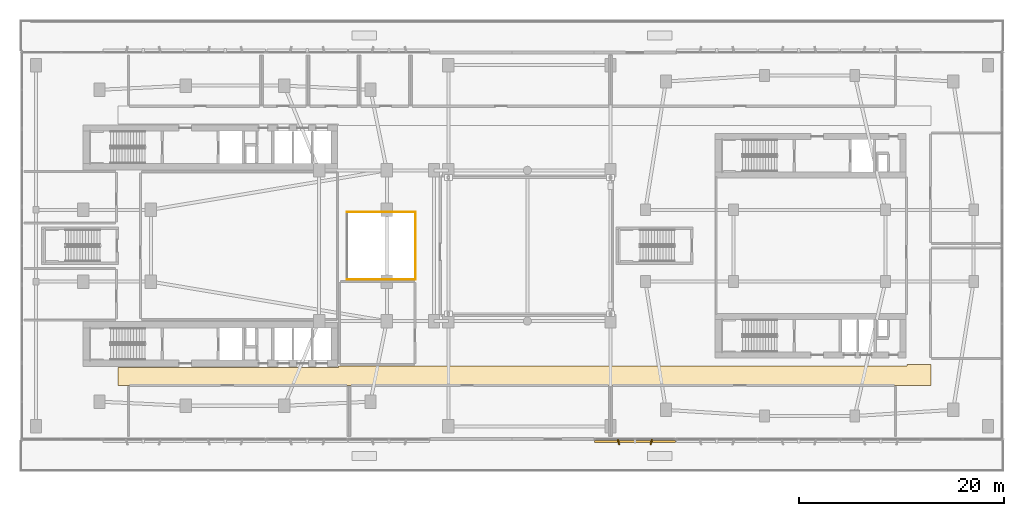
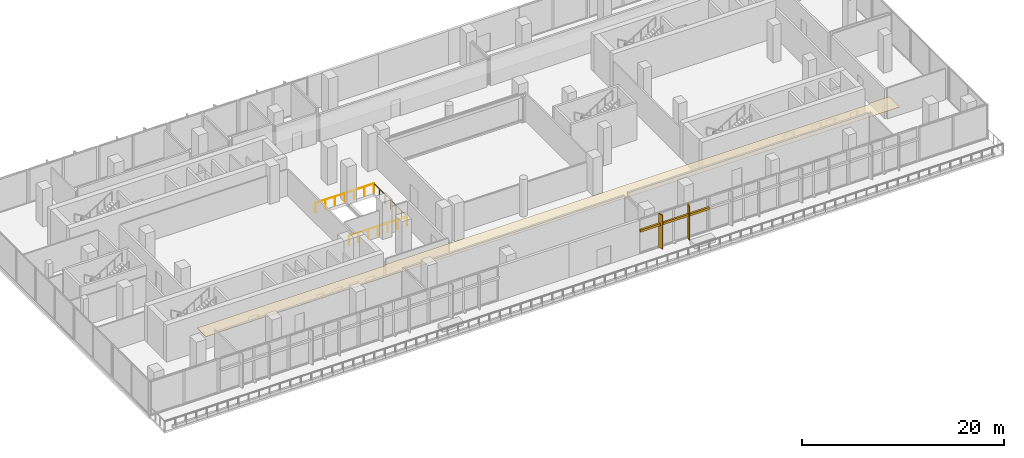
# One storey, part 24 of 31: 3 railings, 3 shading devices, 1 covering.
"""IFC4 building model written with IfcOpenShell, lengths in metres."""

import ifcopenshell
import ifcopenshell.guid

model = None  # the IFC model being written
_history = None  # IfcOwnerHistory: only IFC2X3 demands one
_inside = {}  # id of a spatial element -> (the spatial element, [elements in it])
_under = {}  # id of a project, library or spatial element -> (it, [spatial elements below it])
_declared = {}  # id of a project -> (the project, [libraries it declares])
_typed = {}  # id of a type object -> (the type object, [elements of that type])
_made_of = {}  # id of a material, layer set ... -> (it, [elements and type objects made of it])


def new_model(schema):
    """Start an empty IFC model of exactly this schema.

    Asked for "IFC4X3", IfcOpenShell would pick the latest addendum, in which some entities
    have other attributes; the version numbers below select the first issue.
    IFC2X3 requires an IfcOwnerHistory on every rooted entity: one is made here for all.
    """
    global model, _history
    if schema == "IFC4X3":
        model = ifcopenshell.file(schema_version=(4, 3, 0, 0))
    else:
        model = ifcopenshell.file(schema=schema)
    _inside.clear()
    _under.clear()
    _declared.clear()
    _typed.clear()
    _made_of.clear()
    _history = None
    if model.schema == "IFC2X3":
        org = make("IfcOrganization", Name="unknown")
        user = make(
            "IfcPersonAndOrganization",
            ThePerson=make("IfcPerson", FamilyName="unknown"),
            TheOrganization=org,
        )
        app = make(
            "IfcApplication",
            ApplicationDeveloper=org,
            Version="unknown",
            ApplicationFullName="unknown",
            ApplicationIdentifier="unknown",
        )
        _history = make(
            "IfcOwnerHistory",
            OwningUser=user,
            OwningApplication=app,
            ChangeAction="ADDED",
            CreationDate=0,
        )
    return model


def make(cls, **values):
    """One entity of the class cls with the attributes given. An attribute that is None is left unset."""
    return model.create_entity(
        cls, **{name: value for name, value in values.items() if value is not None}
    )


def rooted(cls, **values):
    """An entity with a GlobalId (a new one), such as an element, a storey or a relation."""
    return make(cls, GlobalId=ifcopenshell.guid.new(), OwnerHistory=_history, **values)


def si_unit(unit_type, name, prefix=None):
    """IfcSIUnit, for example si_unit("LENGTHUNIT", "METRE", prefix="MILLI")."""
    return make("IfcSIUnit", UnitType=unit_type, Prefix=prefix, Name=name)


def derived_unit(unit_type, elements):
    """IfcDerivedUnit: a product of units, each with its exponent."""
    return make(
        "IfcDerivedUnit",
        Elements=[
            make("IfcDerivedUnitElement", Unit=unit, Exponent=power)
            for unit, power in elements
        ],
        UnitType=unit_type,
    )


def assignment(units):
    """IfcUnitAssignment: the units of a project."""
    return None if units is None else make("IfcUnitAssignment", Units=units)


def point(xyz):
    """IfcCartesianPoint."""
    return None if xyz is None else make("IfcCartesianPoint", Coordinates=xyz)


def direction(xyz):
    """IfcDirection."""
    return None if xyz is None else make("IfcDirection", DirectionRatios=xyz)


def frame(location, z_axis=None, x_axis=None):
    """IfcAxis2Placement3D, a coordinate frame: its origin and axes. An axis left out is left unset."""
    return make(
        "IfcAxis2Placement3D",
        Location=point(location),
        Axis=direction(z_axis),
        RefDirection=direction(x_axis),
    )


def frame_2d(location, x_axis=None):
    """IfcAxis2Placement2D, a coordinate frame in the plane: its origin and x axis."""
    return make(
        "IfcAxis2Placement2D", Location=point(location), RefDirection=direction(x_axis)
    )


def origin():
    """The frame at (0, 0, 0) with its axes left unset."""
    return frame((0.0, 0.0, 0.0))


def origin_2d():
    """The frame at (0, 0) in the plane with its x axis left unset."""
    return frame_2d((0.0, 0.0))


def place(relative_to, where):
    """IfcLocalPlacement: puts the frame where relative to a parent placement (None: the world)."""
    return make(
        "IfcLocalPlacement", PlacementRelTo=relative_to, RelativePlacement=where
    )


def context(
    kind, dimensions, precision=None, world=None, true_north=None, identifier=None
):
    """IfcGeometricRepresentationContext, for example the 3D "Model" context."""
    return make(
        "IfcGeometricRepresentationContext",
        ContextIdentifier=identifier,
        ContextType=kind,
        CoordinateSpaceDimension=dimensions,
        Precision=precision,
        WorldCoordinateSystem=world,
        TrueNorth=true_north,
    )


def subcontext(parent, identifier, kind, view, scale=None):
    """IfcGeometricRepresentationSubContext, for example "Body" below "Model"."""
    return make(
        "IfcGeometricRepresentationSubContext",
        ContextIdentifier=identifier,
        ContextType=kind,
        ParentContext=parent,
        TargetScale=scale,
        TargetView=view,
    )


def project(units=None, contexts=None):
    """IfcProject with its units and contexts."""
    return rooted(
        "IfcProject",
        Name="project",
        RepresentationContexts=contexts,
        UnitsInContext=assignment(units),
    )


def spatial(cls, under=None, at=None, **own):
    """A site, building, storey or space (cls), placed at a placement, below another one or the project."""
    s = rooted(cls, ObjectPlacement=at, **own)
    if under is not None:
        _under.setdefault(under.id(), (under, []))[1].append(s)
    return s


def polyline(points):
    """IfcPolyline through the points."""
    return make("IfcPolyline", Points=[point(p) for p in points])


def profile(cls, at=None, kind="AREA", **sizes):
    """A parametric profile (cls). Its sizes go by their IFC names, for example OverallWidth=200.0."""
    return make(cls, ProfileType=kind, Position=at, **sizes)


def rectangle(**sizes):
    """IfcRectangleProfileDef."""
    return profile("IfcRectangleProfileDef", **sizes)


def circle(**sizes):
    """IfcCircleProfileDef."""
    return profile("IfcCircleProfileDef", **sizes)


def outline(outer, holes=None, kind="AREA"):
    """IfcArbitraryClosedProfileDef: a profile drawn as a closed curve; with holes, ...WithVoids."""
    if holes is None:
        return make("IfcArbitraryClosedProfileDef", ProfileType=kind, OuterCurve=outer)
    return make(
        "IfcArbitraryProfileDefWithVoids",
        ProfileType=kind,
        OuterCurve=outer,
        InnerCurves=holes,
    )


def extrude(swept, where, along, depth):
    """IfcExtrudedAreaSolid: the profile swept, set in the frame where, extruded along a direction by depth."""
    return make(
        "IfcExtrudedAreaSolid",
        SweptArea=swept,
        Position=where,
        ExtrudedDirection=direction(along),
        Depth=depth,
    )


def shape(context_of_items, identifier, shape_type, items):
    """IfcShapeRepresentation: the items that make up one representation, for example the "Body"."""
    return make(
        "IfcShapeRepresentation",
        ContextOfItems=context_of_items,
        RepresentationIdentifier=identifier,
        RepresentationType=shape_type,
        Items=items,
    )


def material(Name=None, Category=None):
    """IfcMaterial."""
    return make("IfcMaterial", Name=Name, Category=Category)


def layer(
    of_material, thickness, ventilated=None, Name=None, Category=None, Priority=None
):
    """IfcMaterialLayer: one layer of a wall or slab, of a material (None: an air gap)."""
    return make(
        "IfcMaterialLayer",
        Material=of_material,
        LayerThickness=thickness,
        IsVentilated=ventilated,
        Name=Name,
        Category=Category,
        Priority=Priority,
    )


def layer_set(layers, Name=None):
    """IfcMaterialLayerSet."""
    return make("IfcMaterialLayerSet", MaterialLayers=layers, LayerSetName=Name)


def made_of(thing, what):
    """Note that an element or type object is made of a material, layer set ...; save() writes the relation."""
    if what is not None:
        _made_of.setdefault(what.id(), (what, []))[1].append(thing)
    return thing


def type_object(cls, material=None, **own):
    """A type object (cls), such as IfcWallType, which elements share."""
    return made_of(rooted(cls, **own), material)


def element(
    cls,
    number,
    at=None,
    inside=None,
    cuts=None,
    type_object=None,
    material=None,
    context=None,
    identifier="Body",
    shape_type=None,
    held_by="IfcProductDefinitionShape",
    body=None,
    shapes=None,
    **own,
):
    """One element of the class cls, such as IfcWall. Its Tag is "e" and its number.

    at: its placement. inside: the storey or other place that contains it. cuts: it is an
    opening in that element (IfcRelVoidsElement). A single representation is given by context,
    identifier, shape_type and body (its items); several are given by shapes. held_by: the class
    of the entity that holds the representations. save() writes the other relations.
    """
    e = rooted(cls, Tag="e%d" % number, ObjectPlacement=at, **own)
    if body is not None:
        shapes = [shape(context, identifier, shape_type, body)]
    if shapes is not None:
        e.Representation = make(held_by, Representations=shapes)
    if inside is not None:
        _inside.setdefault(inside.id(), (inside, []))[1].append(e)
    if cuts is not None:
        rooted(
            "IfcRelVoidsElement", RelatingBuildingElement=cuts, RelatedOpeningElement=e
        )
    if type_object is not None:
        _typed.setdefault(type_object.id(), (type_object, []))[1].append(e)
    return made_of(e, material)


def aggregate(whole, parts):
    """IfcRelAggregates: a whole, such as a stair, and the parts it consists of."""
    return rooted("IfcRelAggregates", RelatingObject=whole, RelatedObjects=parts)


def save(model, path):
    """Write the relations noted so far, then the file.

    IfcRelAggregates (storeys below a building ...), IfcRelContainedInSpatialStructure (elements
    in a storey), IfcRelDefinesByType, IfcRelAssociatesMaterial and IfcRelDeclares: one each for
    every whole, place, type object, material and project.
    """
    for whole, parts in _under.values():
        aggregate(whole, parts)
    for where, things in _inside.values():
        rooted(
            "IfcRelContainedInSpatialStructure",
            RelatedElements=things,
            RelatingStructure=where,
        )
    for kind, things in _typed.values():
        rooted("IfcRelDefinesByType", RelatedObjects=things, RelatingType=kind)
    for what, things in _made_of.values():
        rooted("IfcRelAssociatesMaterial", RelatedObjects=things, RelatingMaterial=what)
    for by, libraries in _declared.values():
        rooted("IfcRelDeclares", RelatingContext=by, RelatedDefinitions=libraries)
    model.write(path)


model = new_model("IFC4")

# Units and contexts
model_context = context("Model", 3, precision=1e-05, world=origin(), true_north=direction((0.0, 1.0)))
body_context = subcontext(model_context, "Body", "Model", "MODEL_VIEW")
ifc_project = project(units=[si_unit("LENGTHUNIT", "METRE"), si_unit("AREAUNIT", "SQUARE_METRE"), si_unit("VOLUMEUNIT", "CUBIC_METRE"), si_unit("PLANEANGLEUNIT", "RADIAN"), si_unit("MASSUNIT", "GRAM", prefix="KILO"), derived_unit("THERMALTRANSMITTANCEUNIT", [(si_unit("POWERUNIT", "WATT"), 1), (si_unit("LENGTHUNIT", "METRE"), -2), (si_unit("THERMODYNAMICTEMPERATUREUNIT", "KELVIN"), -1)])], contexts=[model_context])

# Site, building, storey
site_placement = place(None, origin())
site = spatial("IfcSite", under=ifc_project, at=site_placement, CompositionType="ELEMENT")
building_placement = place(site_placement, origin())
building = spatial("IfcBuilding", under=site, at=building_placement, Name="Kivonza Crest Hotel", CompositionType="ELEMENT")
storey_placement = place(building_placement, frame((0.0, 0.0, 15.0)))
storey = spatial("IfcBuildingStorey", under=building, at=storey_placement, Name="L03", CompositionType="ELEMENT", Elevation=15.0)

# Covering
ifc_material_1 = material(Name="Mineral-fibre acoustic ceiling tile", Category="gypsum")
ifc_layer = layer(ifc_material_1, 0.02490234375)
ifc_layer_set = layer_set([ifc_layer], Name="Mineral-fibre acoustic ceiling tile")
covering_type = type_object("IfcCoveringType", Name="CV-CEIL-ACOU", PredefinedType="CEILING", material=ifc_layer_set)
covering_placement = place(storey_placement, frame((0.0, 0.0, 3.0)))
element("IfcCovering", 1, at=covering_placement, inside=storey, type_object=covering_type, Name="L03 L03 South and East Podium Corridor suspended ceiling", PredefinedType="CEILING", context=body_context, shape_type="SweptSolid", body=[
    extrude(outline(polyline([(88.840087890625, 11.360107421875), (88.840087890625, 13.43994140625), (86.510009765625, 13.43994140625), (86.510009765625, 13.280029296875), (31.10009765625, 13.280029296875), (31.10009765625, 13.139892578125), (9.610107421875, 13.139892578125), (9.610107421875, 11.360107421875), (88.840087890625, 11.360107421875)])), origin(), (0.0, 0.0, 1.0), 0.02490234375),
])

# Railings
ifc_material_2 = material(Name="Painted steel balustrade", Category="steel")
railing_type = type_object("IfcRailingType", Name="RL-STAIR-1150", PredefinedType="BALUSTRADE", material=ifc_material_2)
railing_1_placement = place(storey_placement, frame((31.919921875, 21.719970703125, 0.0)))
element("IfcRailing", 2, at=railing_1_placement, inside=storey, type_object=railing_type, Name="L03 podium atrium void safety guard 1", PredefinedType="BALUSTRADE", context=body_context, shape_type="SweptSolid", body=[
    extrude(circle(Radius=0.02392578125, at=origin_2d()), frame((0.0, 0.0, 1.1259765625), z_axis=(1.0, 0.0, 0.0), x_axis=(0.0, 1.0, 0.0)), (0.0, 0.0, 1.0), 6.66015625),
    extrude(circle(Radius=0.02099609375, at=origin_2d()), origin(), (0.0, 0.0, 1.0), 1.101806640625),
    extrude(circle(Radius=0.02099609375, at=origin_2d()), frame((1.110107421875, 0.0, 0.0)), (0.0, 0.0, 1.0), 1.101806640625),
    extrude(circle(Radius=0.02099609375, at=origin_2d()), frame((2.219970703125, 0.0, 0.0)), (0.0, 0.0, 1.0), 1.101806640625),
    extrude(circle(Radius=0.02099609375, at=origin_2d()), frame((3.330078125, 0.0, 0.0)), (0.0, 0.0, 1.0), 1.101806640625),
    extrude(circle(Radius=0.02099609375, at=origin_2d()), frame((4.440185546875, 0.0, 0.0)), (0.0, 0.0, 1.0), 1.101806640625),
    extrude(circle(Radius=0.02099609375, at=origin_2d()), frame((5.550048828125, 0.0, 0.0)), (0.0, 0.0, 1.0), 1.101806640625),
    extrude(circle(Radius=0.02099609375, at=origin_2d()), frame((6.66015625, 0.0, 0.0)), (0.0, 0.0, 1.0), 1.101806640625),
])
railing_2_placement = place(storey_placement, frame((38.580078125, 21.719970703125, 0.0)))
element("IfcRailing", 3, at=railing_2_placement, inside=storey, type_object=railing_type, Name="L03 podium atrium void safety guard 2", PredefinedType="BALUSTRADE", context=body_context, shape_type="SweptSolid", body=[
    extrude(circle(Radius=0.02392578125, at=origin_2d()), frame((0.0, 0.0, 1.1259765625), z_axis=(0.0, 1.0, 0.0), x_axis=(-1.0, 0.0, 0.0)), (0.0, 0.0, 1.0), 6.56005859375),
    extrude(circle(Radius=0.02099609375, at=origin_2d()), origin(), (0.0, 0.0, 1.0), 1.101806640625),
    extrude(circle(Radius=0.02099609375, at=origin_2d()), frame((0.0, 1.09326171875, 0.0)), (0.0, 0.0, 1.0), 1.101806640625),
    extrude(circle(Radius=0.02099609375, at=origin_2d()), frame((0.0, 2.186767578125, 0.0)), (0.0, 0.0, 1.0), 1.101806640625),
    extrude(circle(Radius=0.02099609375, at=origin_2d()), frame((0.0, 3.280029296875, 0.0)), (0.0, 0.0, 1.0), 1.101806640625),
    extrude(circle(Radius=0.02099609375, at=origin_2d()), frame((0.0, 4.373291015625, 0.0)), (0.0, 0.0, 1.0), 1.101806640625),
    extrude(circle(Radius=0.02099609375, at=origin_2d()), frame((0.0, 5.466796875, 0.0)), (0.0, 0.0, 1.0), 1.101806640625),
    extrude(circle(Radius=0.02099609375, at=origin_2d()), frame((0.0, 6.56005859375, 0.0)), (0.0, 0.0, 1.0), 1.101806640625),
])
railing_3_placement = place(storey_placement, frame((38.580078125, 28.280029296875, 0.0)))
element("IfcRailing", 4, at=railing_3_placement, inside=storey, type_object=railing_type, Name="L03 podium atrium void safety guard 3", PredefinedType="BALUSTRADE", context=body_context, shape_type="SweptSolid", body=[
    extrude(circle(Radius=0.02392578125, at=origin_2d()), frame((0.0, 0.0, 1.1259765625), z_axis=(-1.0, 0.0, 0.0), x_axis=(0.0, -1.0, 0.0)), (0.0, 0.0, 1.0), 6.66015625),
    extrude(circle(Radius=0.02099609375, at=origin_2d()), origin(), (0.0, 0.0, 1.0), 1.101806640625),
    extrude(circle(Radius=0.02099609375, at=origin_2d()), frame((-1.110107421875, 0.0, 0.0)), (0.0, 0.0, 1.0), 1.101806640625),
    extrude(circle(Radius=0.02099609375, at=origin_2d()), frame((-2.219970703125, 0.0, 0.0)), (0.0, 0.0, 1.0), 1.101806640625),
    extrude(circle(Radius=0.02099609375, at=origin_2d()), frame((-3.330078125, 0.0, 0.0)), (0.0, 0.0, 1.0), 1.101806640625),
    extrude(circle(Radius=0.02099609375, at=origin_2d()), frame((-4.440185546875, 0.0, 0.0)), (0.0, 0.0, 1.0), 1.101806640625),
    extrude(circle(Radius=0.02099609375, at=origin_2d()), frame((-5.550048828125, 0.0, 0.0)), (0.0, 0.0, 1.0), 1.101806640625),
    extrude(circle(Radius=0.02099609375, at=origin_2d()), frame((-6.66015625, 0.0, 0.0)), (0.0, 0.0, 1.0), 1.101806640625),
])

# Shading devices
ifc_material_3 = material(Name="Kiln-fired Nairobi red-ochre terracotta", Category="masonry")
shading_device_type_1 = type_object("IfcShadingDeviceType", Name="SH-BAGUETTE-300", PredefinedType="USERDEFINED", material=ifc_material_3)
shading_device_placement = place(storey_placement, frame((59.97998046875, 5.919921875, 2.740234375), z_axis=(0.0, 0.0, 1.0), x_axis=(1.0, 0.0, 0.0)))
element("IfcShadingDevice", 5, at=shading_device_placement, inside=storey, type_object=shading_device_type_1, Name="L03 terracotta baguette screen CW-POD-L03-08", ObjectType="BAGUETTE", PredefinedType="USERDEFINED", context=body_context, shape_type="SweptSolid", body=[
    extrude(rectangle(XDim=7.865966796875, YDim=0.219970703125, at=origin_2d()), origin(), (0.0, 0.0, 1.0), 0.260009765625),
])
ifc_material_4 = material(Name="Kiln-fired terracotta over extruded aluminium spine", Category="masonry")
shading_device_type_2 = type_object("IfcShadingDeviceType", Name="SH-FIN-550", PredefinedType="USERDEFINED", material=ifc_material_4)
for number, where, z_axis, x_axis, name in (
    (6, (58.383056640625, 5.860107421875, 0.0), (0.0, 0.0, 1.0), (0.970295726276, 0.2419218956, 0.0), "L03 vertical solar shading fin CW-POD-L03-08-1"),
    (7, (61.576904296875, 5.860107421875, 0.0), (0.0, 0.0, 1.0), (0.970295726276, -0.2419218956, 0.0), "L03 vertical solar shading fin CW-POD-L03-08-2"),
):
    element("IfcShadingDevice", number, at=place(storey_placement, frame(where, z_axis=z_axis, x_axis=x_axis)), inside=storey, type_object=shading_device_type_2, Name=name, ObjectType="FIN", PredefinedType="USERDEFINED", context=body_context, shape_type="SweptSolid", body=[
        extrude(rectangle(XDim=0.1201171875, YDim=0.550048828125, at=origin_2d()), origin(), (0.0, 0.0, 1.0), 4.10009765625),
    ])

save(model, "model.ifc")
